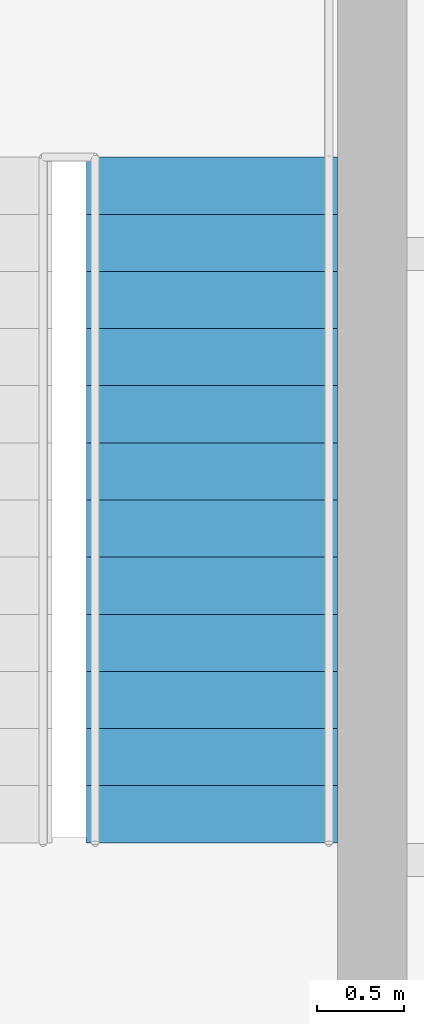
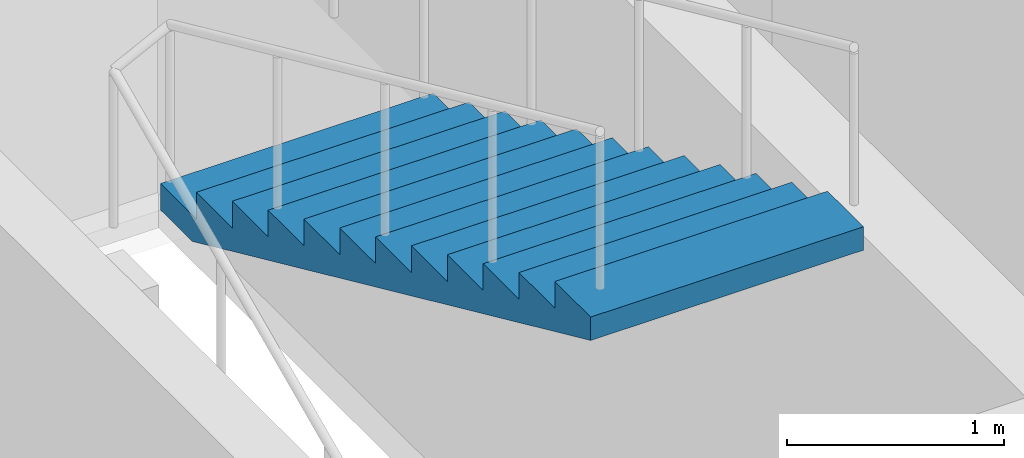
# One storey, part 9 of 10: 1 stair flight, 1 element without a shape of its own.
"""IFC4 building model written with IfcOpenShell, lengths in metres."""

from ifc_helpers import new_model, si_unit, direction, frame, origin, place, context, subcontext, project, spatial, polygons, material, type_object, element, aggregate, save


model = new_model("IFC4")

# Units and contexts
model_context = context("Model", 3, precision=1e-05, world=origin(), true_north=direction((0.0, 1.0)))
body_context = subcontext(model_context, "Body", "Model", "MODEL_VIEW")
ifc_project = project(units=[si_unit("LENGTHUNIT", "METRE"), si_unit("AREAUNIT", "SQUARE_METRE"), si_unit("VOLUMEUNIT", "CUBIC_METRE"), si_unit("PLANEANGLEUNIT", "RADIAN"), si_unit("MASSUNIT", "GRAM", prefix="KILO")], contexts=[model_context])

# Site, building, storey
site_placement = place(None, origin())
site = spatial("IfcSite", under=ifc_project, at=site_placement, CompositionType="ELEMENT")
building_placement = place(site_placement, origin())
building = spatial("IfcBuilding", under=site, at=building_placement, Name="Njiva Tower", CompositionType="ELEMENT")
storey_placement = place(building_placement, frame((0.0, 0.0, 249.3)))
storey = spatial("IfcBuildingStorey", under=building, at=storey_placement, Name="L56", CompositionType="ELEMENT", Elevation=249.3)

# Stair, stair flight
ifc_material = material(Name="Concrete C40/50", Category="concrete")
stair_type = type_object("IfcStairType", Name="ST3 Exit stair 1450", PredefinedType="HALF_TURN_STAIR", material=ifc_material)
stair_placement = place(storey_placement, origin())
stair = element("IfcStair", 1, at=stair_placement, inside=storey, type_object=stair_type, Name="Stair B", PredefinedType="HALF_TURN_STAIR")
stair_flight_type = type_object("IfcStairFlightType", Name="FL3 Stair flight 1450", PredefinedType="STRAIGHT", material=ifc_material)
stair_flight_placement = place(storey_placement, frame((13.375, 15.06, 1.95), z_axis=(0.0, 0.0, 1.0), x_axis=(0.0, -1.0, 0.0)))
stair_flight = element("IfcStairFlight", 2, at=stair_flight_placement, type_object=stair_flight_type, Name="ST-B flight 2", NumberOfRisers=13, NumberOfTreads=12, PredefinedType="STRAIGHT", RiserHeight=0.15, TreadLength=0.33, context=body_context, shape_type="Tessellation", body=[
    polygons([(0.0, 0.725, 0.0), (0.0, 0.3625, 0.0), (0.0, 0.0, 0.0), (0.0, -0.3625, 0.0), (0.0, -0.725, 0.0), (0.0, 0.725, 0.15), (0.0, 0.3625, 0.15), (0.0, 0.0, 0.15), (0.0, -0.3625, 0.15), (0.0, -0.725, 0.15), (0.33, 0.725, 0.15), (0.33, 0.3625, 0.15), (0.33, 0.0, 0.15), (0.33, -0.3625, 0.15), (0.33, -0.725, 0.15), (0.33, 0.725, 0.3), (0.33, 0.3625, 0.3), (0.33, 0.0, 0.3), (0.33, -0.3625, 0.3), (0.33, -0.725, 0.3), (0.66, 0.725, 0.3), (0.66, 0.3625, 0.3), (0.66, 0.0, 0.3), (0.66, -0.3625, 0.3), (0.66, -0.725, 0.3), (0.66, 0.725, 0.45), (0.66, 0.3625, 0.45), (0.66, 0.0, 0.45), (0.66, -0.3625, 0.45), (0.66, -0.725, 0.45), (0.99, 0.725, 0.45), (0.99, 0.3625, 0.45), (0.99, 0.0, 0.45), (0.99, -0.3625, 0.45), (0.99, -0.725, 0.45), (0.99, 0.725, 0.6), (0.99, 0.3625, 0.6), (0.99, 0.0, 0.6), (0.99, -0.3625, 0.6), (0.99, -0.725, 0.6), (1.32, 0.725, 0.6), (1.32, 0.3625, 0.6), (1.32, 0.0, 0.6), (1.32, -0.3625, 0.6), (1.32, -0.725, 0.6), (1.32, 0.725, 0.75), (1.32, 0.3625, 0.75), (1.32, 0.0, 0.75), (1.32, -0.3625, 0.75), (1.32, -0.725, 0.75), (1.65, 0.725, 0.75), (1.65, 0.3625, 0.75), (1.65, 0.0, 0.75), (1.65, -0.3625, 0.75), (1.65, -0.725, 0.75), (1.65, 0.725, 0.9), (1.65, 0.3625, 0.9), (1.65, 0.0, 0.9), (1.65, -0.3625, 0.9), (1.65, -0.725, 0.9), (1.98, 0.725, 0.9), (1.98, 0.3625, 0.9), (1.98, 0.0, 0.9), (1.98, -0.3625, 0.9), (1.98, -0.725, 0.9), (1.98, 0.725, 1.05), (1.98, 0.3625, 1.05), (1.98, 0.0, 1.05), (1.98, -0.3625, 1.05), (1.98, -0.725, 1.05), (2.31, 0.725, 1.05), (2.31, 0.3625, 1.05), (2.31, 0.0, 1.05), (2.31, -0.3625, 1.05), (2.31, -0.725, 1.05), (2.31, 0.725, 1.2), (2.31, 0.3625, 1.2), (2.31, 0.0, 1.2), (2.31, -0.3625, 1.2), (2.31, -0.725, 1.2), (2.64, 0.725, 1.2), (2.64, 0.3625, 1.2), (2.64, 0.0, 1.2), (2.64, -0.3625, 1.2), (2.64, -0.725, 1.2), (2.64, 0.725, 1.35), (2.64, 0.3625, 1.35), (2.64, 0.0, 1.35), (2.64, -0.3625, 1.35), (2.64, -0.725, 1.35), (2.97, 0.725, 1.35), (2.97, 0.3625, 1.35), (2.97, 0.0, 1.35), (2.97, -0.3625, 1.35), (2.97, -0.725, 1.35), (2.97, 0.725, 1.5), (2.97, 0.3625, 1.5), (2.97, 0.0, 1.5), (2.97, -0.3625, 1.5), (2.97, -0.725, 1.5), (3.3, 0.725, 1.5), (3.3, 0.3625, 1.5), (3.3, 0.0, 1.5), (3.3, -0.3625, 1.5), (3.3, -0.725, 1.5), (3.3, 0.725, 1.65), (3.3, 0.3625, 1.65), (3.3, 0.0, 1.65), (3.3, -0.3625, 1.65), (3.3, -0.725, 1.65), (3.63, 0.725, 1.65), (3.63, 0.3625, 1.65), (3.63, 0.0, 1.65), (3.63, -0.3625, 1.65), (3.63, -0.725, 1.65), (3.63, 0.725, 1.8), (3.63, 0.3625, 1.8), (3.63, 0.0, 1.8), (3.63, -0.3625, 1.8), (3.63, -0.725, 1.8), (3.96, 0.725, 1.8), (3.96, 0.3625, 1.8), (3.96, 0.0, 1.8), (3.96, -0.3625, 1.8), (3.96, -0.725, 1.8), (3.96, 0.725, 1.6682), (3.96, 0.3625, 1.6682), (3.96, 0.0, 1.6682), (3.96, -0.3625, 1.6682), (3.96, -0.725, 1.6682), (0.29, 0.725, 0.0), (0.29, 0.3625, 0.0), (0.29, 0.0, 0.0), (0.29, -0.3625, 0.0), (0.29, -0.725, 0.0)], [[[1, 6, 11, 16, 21, 26, 31, 36, 41, 46, 51, 56, 61, 66, 71, 76, 81, 86, 91, 96, 101, 106, 111, 116, 121, 126, 131]], [[135, 130, 125, 120, 115, 110, 105, 100, 95, 90, 85, 80, 75, 70, 65, 60, 55, 50, 45, 40, 35, 30, 25, 20, 15, 10, 5]], [[6, 1, 2, 7]], [[7, 2, 3, 8]], [[8, 3, 4, 9]], [[9, 4, 5, 10]], [[11, 6, 7, 12]], [[12, 7, 8, 13]], [[13, 8, 9, 14]], [[14, 9, 10, 15]], [[16, 11, 12, 17]], [[17, 12, 13, 18]], [[18, 13, 14, 19]], [[19, 14, 15, 20]], [[21, 16, 17, 22]], [[22, 17, 18, 23]], [[23, 18, 19, 24]], [[24, 19, 20, 25]], [[26, 21, 22, 27]], [[27, 22, 23, 28]], [[28, 23, 24, 29]], [[29, 24, 25, 30]], [[31, 26, 27, 32]], [[32, 27, 28, 33]], [[33, 28, 29, 34]], [[34, 29, 30, 35]], [[36, 31, 32, 37]], [[37, 32, 33, 38]], [[38, 33, 34, 39]], [[39, 34, 35, 40]], [[41, 36, 37, 42]], [[42, 37, 38, 43]], [[43, 38, 39, 44]], [[44, 39, 40, 45]], [[46, 41, 42, 47]], [[47, 42, 43, 48]], [[48, 43, 44, 49]], [[49, 44, 45, 50]], [[51, 46, 47, 52]], [[52, 47, 48, 53]], [[53, 48, 49, 54]], [[54, 49, 50, 55]], [[56, 51, 52, 57]], [[57, 52, 53, 58]], [[58, 53, 54, 59]], [[59, 54, 55, 60]], [[61, 56, 57, 62]], [[62, 57, 58, 63]], [[63, 58, 59, 64]], [[64, 59, 60, 65]], [[66, 61, 62, 67]], [[67, 62, 63, 68]], [[68, 63, 64, 69]], [[69, 64, 65, 70]], [[71, 66, 67, 72]], [[72, 67, 68, 73]], [[73, 68, 69, 74]], [[74, 69, 70, 75]], [[76, 71, 72, 77]], [[77, 72, 73, 78]], [[78, 73, 74, 79]], [[79, 74, 75, 80]], [[81, 76, 77, 82]], [[82, 77, 78, 83]], [[83, 78, 79, 84]], [[84, 79, 80, 85]], [[86, 81, 82, 87]], [[87, 82, 83, 88]], [[88, 83, 84, 89]], [[89, 84, 85, 90]], [[91, 86, 87, 92]], [[92, 87, 88, 93]], [[93, 88, 89, 94]], [[94, 89, 90, 95]], [[96, 91, 92, 97]], [[97, 92, 93, 98]], [[98, 93, 94, 99]], [[99, 94, 95, 100]], [[101, 96, 97, 102]], [[102, 97, 98, 103]], [[103, 98, 99, 104]], [[104, 99, 100, 105]], [[106, 101, 102, 107]], [[107, 102, 103, 108]], [[108, 103, 104, 109]], [[109, 104, 105, 110]], [[111, 106, 107, 112]], [[112, 107, 108, 113]], [[113, 108, 109, 114]], [[114, 109, 110, 115]], [[116, 111, 112, 117]], [[117, 112, 113, 118]], [[118, 113, 114, 119]], [[119, 114, 115, 120]], [[121, 116, 117, 122]], [[122, 117, 118, 123]], [[123, 118, 119, 124]], [[124, 119, 120, 125]], [[126, 121, 122, 127]], [[127, 122, 123, 128]], [[128, 123, 124, 129]], [[129, 124, 125, 130]], [[131, 126, 127, 132]], [[132, 127, 128, 133]], [[133, 128, 129, 134]], [[134, 129, 130, 135]], [[1, 131, 132, 2]], [[2, 132, 133, 3]], [[3, 133, 134, 4]], [[4, 134, 135, 5]]], closed=True),
])
aggregate(stair, [stair_flight])

save(model, "model.ifc")
